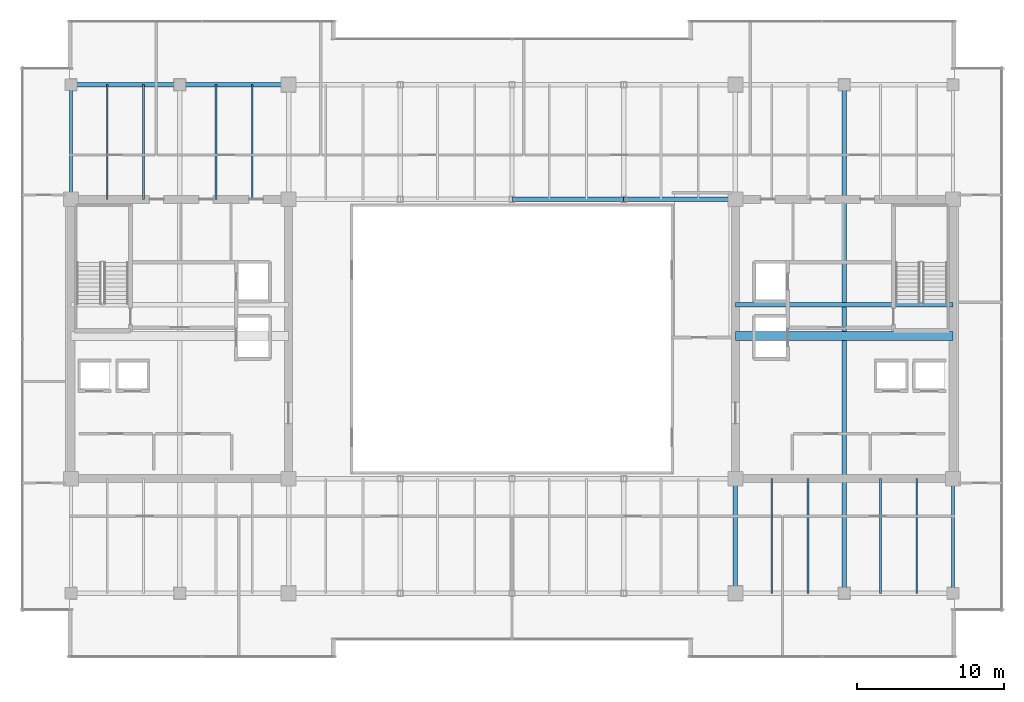
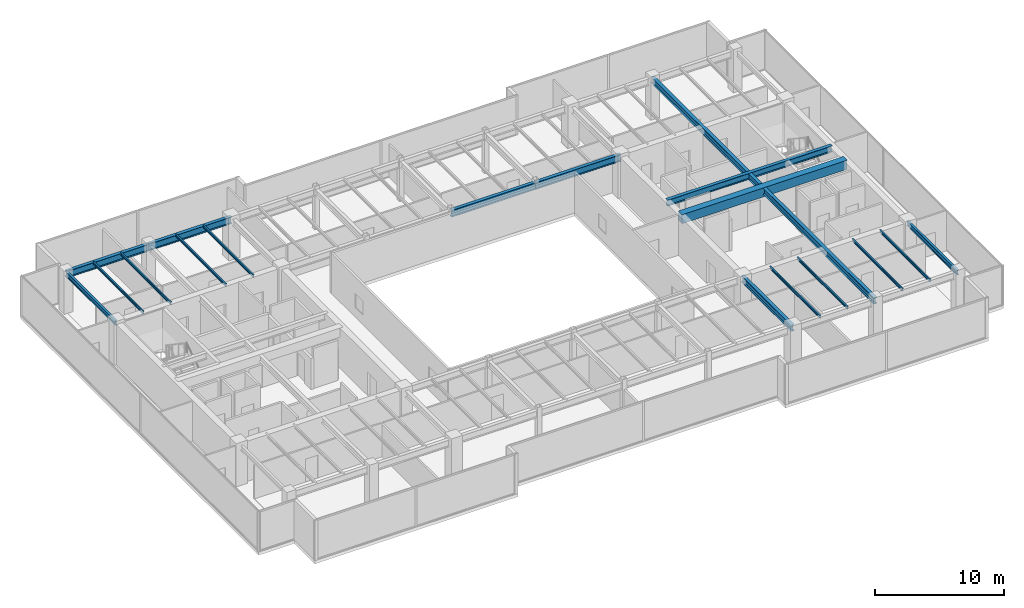
# One storey, part 14 of 36: 18 beams.
"""IFC4 building model written with IfcOpenShell, lengths in metres."""

from ifc_helpers import new_model, si_unit, direction, frame, origin, origin_2d, place, context, subcontext, project, spatial, rectangle, i_section, extrude, source, transform, mapped, material, material_profile, profile_set, type_object, type_shapes, element, save


model = new_model("IFC4")

# Units and contexts
model_context = context("Model", 3, precision=1e-05, world=origin(), true_north=direction((0.0, 1.0)))
body_context = subcontext(model_context, "Body", "Model", "MODEL_VIEW")
ifc_project = project(units=[si_unit("LENGTHUNIT", "METRE"), si_unit("AREAUNIT", "SQUARE_METRE"), si_unit("VOLUMEUNIT", "CUBIC_METRE"), si_unit("PLANEANGLEUNIT", "RADIAN"), si_unit("MASSUNIT", "GRAM", prefix="KILO")], contexts=[model_context])

# Site, building, storey
site_placement = place(None, origin())
site = spatial("IfcSite", under=ifc_project, at=site_placement, CompositionType="ELEMENT")
building_placement = place(site_placement, origin())
building = spatial("IfcBuilding", under=site, at=building_placement, Name="Haelvirn Gate Laboratories", CompositionType="ELEMENT")
storey_placement = place(building_placement, frame((0.0, 0.0, 254.699951171875)))
storey = spatial("IfcBuildingStorey", under=building, at=storey_placement, Name="L61", CompositionType="ELEMENT", Elevation=254.699951171875)

# Beams
ifc_material_1 = material(Name="Steel SM355", Category="steel")
ifc_material_profile_1 = material_profile(ifc_material_1, i_section(OverallWidth=0.300048828125, OverallDepth=0.587890625, WebThickness=0.011962890625, FlangeThickness=0.02001953125, at=origin_2d()), Name="H-588x300x12x20")
ifc_profile_set_1 = profile_set([ifc_material_profile_1], Name="Steel SM355")
beam_type_1 = type_object("IfcBeamType", Name="BM-G-588", PredefinedType="BEAM", material=ifc_profile_set_1)
shared_shape_1 = source(origin(), body_context, "Body", "SweptSolid", [
    extrude(i_section(OverallWidth=0.300048828125, OverallDepth=0.587890625, WebThickness=0.011962890625, FlangeThickness=0.02001953125, at=origin_2d()), origin(), (0.0, 0.0, 1.0), 14.7998046875),
])
beam_1_placement = place(storey_placement, frame((52.60009765625, 26.6201171875, 3.506103515625), z_axis=(1.0, 0.0, 0.0), x_axis=(0.0, 1.0, 0.0)))
element("IfcBeam", 1, at=beam_1_placement, inside=storey, type_object=beam_type_1, Name="L61 Stair ST2 Landing Header", PredefinedType="BEAM", context=body_context, shape_type="MappedRepresentation", body=[
    mapped(shared_shape_1, transform((0.0, 0.0, 0.0), scale=1.0)),
])
shared_shape_2 = source(origin(), body_context, "Body", "SweptSolid", [
    extrude(i_section(OverallWidth=0.300048828125, OverallDepth=0.587890625, WebThickness=0.011962890625, FlangeThickness=0.02001953125, at=origin_2d()), origin(), (0.0, 0.0, 1.0), 34.60009765625),
])
beam_2_placement = place(storey_placement, frame((60.0, 7.0, 3.506103515625), z_axis=(0.0, 1.0, 0.0), x_axis=(-1.0, 0.0, 0.0)))
element("IfcBeam", 2, at=beam_2_placement, inside=storey, type_object=beam_type_1, Name="L61 Frame Girder X60.0 (7.0-41.6)", PredefinedType="BEAM", context=body_context, shape_type="MappedRepresentation", body=[
    mapped(shared_shape_2, transform((0.0, 0.0, 0.0), scale=1.0)),
])
shared_shape_3 = source(origin(), body_context, "Body", "SweptSolid", [
    extrude(i_section(OverallWidth=0.300048828125, OverallDepth=0.587890625, WebThickness=0.011962890625, FlangeThickness=0.02001953125, at=origin_2d()), origin(), (0.0, 0.0, 1.0), 7.800048828125),
])
type_shapes(beam_type_1, [shared_shape_1, shared_shape_2, shared_shape_3])
beam_3_placement = place(storey_placement, frame((52.60009765625, 7.0, 3.506103515625), z_axis=(0.0, 1.0, 0.0), x_axis=(-1.0, 0.0, 0.0)))
element("IfcBeam", 3, at=beam_3_placement, inside=storey, type_object=beam_type_1, Name="L61 Frame Girder X52.6 (7.0-14.8)", PredefinedType="BEAM", context=body_context, shape_type="MappedRepresentation", body=[
    mapped(shared_shape_3, transform((0.0, 0.0, 0.0), scale=1.0)),
])
ifc_material_2 = material(Name="Concrete C50/60", Category="concrete")
ifc_material_profile_2 = material_profile(ifc_material_2, rectangle(XDim=0.60009765625, YDim=0.85009765625, at=origin_2d()), Name="RCB-600x850")
ifc_profile_set_2 = profile_set([ifc_material_profile_2], Name="Concrete C50/60")
beam_type_2 = type_object("IfcBeamType", Name="BM-RCB-850", PredefinedType="LINTEL", material=ifc_profile_set_2)
shared_shape_4 = source(origin(), body_context, "Body", "SweptSolid", [
    extrude(rectangle(XDim=0.60009765625, YDim=0.85009765625, at=origin_2d()), origin(), (0.0, 0.0, 1.0), 14.7998046875),
])
type_shapes(beam_type_2, [shared_shape_4])
beam_4_placement = place(storey_placement, frame((52.60009765625, 24.5, 3.375), z_axis=(1.0, 0.0, 0.0), x_axis=(0.0, 1.0, 0.0)))
element("IfcBeam", 4, at=beam_4_placement, inside=storey, type_object=beam_type_2, Name="L61 East Core Coupling Beam", PredefinedType="LINTEL", context=body_context, shape_type="MappedRepresentation", body=[
    mapped(shared_shape_4, transform((0.0, 0.0, 0.0), scale=1.0)),
])
ifc_material_profile_3 = material_profile(ifc_material_1, i_section(OverallWidth=0.300048828125, OverallDepth=0.64990234375, WebThickness=0.012939453125, FlangeThickness=0.02197265625, at=origin_2d()), Name="H-650x300x13x22")
ifc_profile_set_3 = profile_set([ifc_material_profile_3], Name="Steel SM355")
beam_type_3 = type_object("IfcBeamType", Name="BM-G-650", PredefinedType="BEAM", material=ifc_profile_set_3)
shared_shape_5 = source(origin(), body_context, "Body", "SweptSolid", [
    extrude(i_section(OverallWidth=0.300048828125, OverallDepth=0.64990234375, WebThickness=0.012939453125, FlangeThickness=0.02197265625, at=origin_2d()), origin(), (0.0, 0.0, 1.0), 7.400146484375),
])
beam_5_placement = place(storey_placement, frame((7.39990234375, 41.60009765625, 3.47509765625), z_axis=(1.0, 0.0, 0.0), x_axis=(0.0, 1.0, 0.0)))
element("IfcBeam", 5, at=beam_5_placement, inside=storey, type_object=beam_type_3, Name="L61 Primary Girder Y41.6 (7.4-14.8)", PredefinedType="BEAM", context=body_context, shape_type="MappedRepresentation", body=[
    mapped(shared_shape_5, transform((0.0, 0.0, 0.0), scale=1.0)),
])
shared_shape_6 = source(origin(), body_context, "Body", "SweptSolid", [
    extrude(i_section(OverallWidth=0.300048828125, OverallDepth=0.64990234375, WebThickness=0.012939453125, FlangeThickness=0.02197265625, at=origin_2d()), origin(), (0.0, 0.0, 1.0), 7.39990234375),
])
beam_6_placement = place(storey_placement, frame((14.800048828125, 41.60009765625, 3.47509765625), z_axis=(1.0, 0.0, 0.0), x_axis=(0.0, 1.0, 0.0)))
element("IfcBeam", 6, at=beam_6_placement, inside=storey, type_object=beam_type_3, Name="L61 Primary Girder Y41.6 (14.8-22.2)", PredefinedType="BEAM", context=body_context, shape_type="MappedRepresentation", body=[
    mapped(shared_shape_6, transform((0.0, 0.0, 0.0), scale=1.0)),
])
shared_shape_7 = source(origin(), body_context, "Body", "SweptSolid", [
    extrude(i_section(OverallWidth=0.300048828125, OverallDepth=0.64990234375, WebThickness=0.012939453125, FlangeThickness=0.02197265625, at=origin_2d()), origin(), (0.0, 0.0, 1.0), 7.60009765625),
])
type_shapes(beam_type_3, [shared_shape_5, shared_shape_6, shared_shape_7])
for number, where, z_axis, x_axis, name in (
    (7, (37.39990234375, 33.800048828125, 3.47509765625), (1.0, 0.0, 0.0), (0.0, 1.0, 0.0), "L61 Primary Girder Y33.8 (37.4-45.0)"),
    (8, (45.0, 33.800048828125, 3.47509765625), (1.0, 0.0, 0.0), (0.0, 1.0, 0.0), "L61 Primary Girder Y33.8 (45.0-52.6)"),
):
    element("IfcBeam", number, at=place(storey_placement, frame(where, z_axis=z_axis, x_axis=x_axis)), inside=storey, type_object=beam_type_3, Name=name, PredefinedType="BEAM", context=body_context, shape_type="MappedRepresentation", body=[
        mapped(shared_shape_7, transform((0.0, 0.0, 0.0), scale=1.0)),
    ])
ifc_material_profile_4 = material_profile(ifc_material_1, i_section(OverallWidth=0.199951171875, OverallDepth=0.449951171875, WebThickness=0.009033203125, FlangeThickness=0.013916015625, at=origin_2d()), Name="H-450x200x9x14")
ifc_profile_set_4 = profile_set([ifc_material_profile_4], Name="Steel SM355")
beam_type_4 = type_object("IfcBeamType", Name="BM-SP-450", PredefinedType="SPANDREL", material=ifc_profile_set_4)
shared_shape_8 = source(origin(), body_context, "Body", "SweptSolid", [
    extrude(i_section(OverallWidth=0.199951171875, OverallDepth=0.449951171875, WebThickness=0.009033203125, FlangeThickness=0.013916015625, at=origin_2d()), origin(), (0.0, 0.0, 1.0), 7.800048828125),
])
type_shapes(beam_type_4, [shared_shape_8])
for number, where, z_axis, x_axis, name in (
    (9, (7.39990234375, 33.800048828125, 3.574951171875), (0.0, 1.0, 0.0), (-1.0, 0.0, 0.0), "L61 Perimeter Spandrel X7.4 (33.8-41.6)"),
    (10, (67.39990234375, 7.0, 3.574951171875), (0.0, 1.0, 0.0), (-1.0, 0.0, 0.0), "L61 Perimeter Spandrel X67.4 (7.0-14.8)"),
):
    element("IfcBeam", number, at=place(storey_placement, frame(where, z_axis=z_axis, x_axis=x_axis)), inside=storey, type_object=beam_type_4, Name=name, PredefinedType="SPANDREL", context=body_context, shape_type="MappedRepresentation", body=[
        mapped(shared_shape_8, transform((0.0, 0.0, 0.0), scale=1.0)),
    ])
ifc_material_profile_5 = material_profile(ifc_material_1, i_section(OverallWidth=0.125, OverallDepth=0.25, WebThickness=0.006103515625, FlangeThickness=0.009033203125, at=origin_2d()), Name="H-250x125x6x9")
ifc_profile_set_5 = profile_set([ifc_material_profile_5], Name="Steel SM355")
beam_type_5 = type_object("IfcBeamType", Name="BM-J-250", PredefinedType="JOIST", material=ifc_profile_set_5)
shared_shape_9 = source(origin(), body_context, "Body", "SweptSolid", [
    extrude(i_section(OverallWidth=0.125, OverallDepth=0.25, WebThickness=0.006103515625, FlangeThickness=0.009033203125, at=origin_2d()), origin(), (0.0, 0.0, 1.0), 7.800048828125),
])
type_shapes(beam_type_5, [shared_shape_9])
for number, where, z_axis, x_axis, name in (
    (11, (9.8701171875, 33.800048828125, 3.675048828125), (0.0, 1.0, 0.0), (-1.0, 0.0, 0.0), "L61 Composite Lab Joist North X9.87"),
    (12, (12.330078125, 33.800048828125, 3.675048828125), (0.0, 1.0, 0.0), (-1.0, 0.0, 0.0), "L61 Composite Lab Joist North X12.33"),
    (13, (17.27001953125, 33.800048828125, 3.675048828125), (0.0, 1.0, 0.0), (-1.0, 0.0, 0.0), "L61 Composite Lab Joist North X17.27"),
    (14, (19.72998046875, 33.800048828125, 3.675048828125), (0.0, 1.0, 0.0), (-1.0, 0.0, 0.0), "L61 Composite Lab Joist North X19.73"),
    (15, (55.070068359375, 7.0, 3.675048828125), (0.0, 1.0, 0.0), (-1.0, 0.0, 0.0), "L61 Composite Lab Joist South X55.07"),
    (16, (57.530029296875, 7.0, 3.675048828125), (0.0, 1.0, 0.0), (-1.0, 0.0, 0.0), "L61 Composite Lab Joist South X57.53"),
    (17, (62.469970703125, 7.0, 3.675048828125), (0.0, 1.0, 0.0), (-1.0, 0.0, 0.0), "L61 Composite Lab Joist South X62.47"),
    (18, (64.929931640625, 7.0, 3.675048828125), (0.0, 1.0, 0.0), (-1.0, 0.0, 0.0), "L61 Composite Lab Joist South X64.93"),
):
    element("IfcBeam", number, at=place(storey_placement, frame(where, z_axis=z_axis, x_axis=x_axis)), inside=storey, type_object=beam_type_5, Name=name, PredefinedType="JOIST", context=body_context, shape_type="MappedRepresentation", body=[
        mapped(shared_shape_9, transform((0.0, 0.0, 0.0), scale=1.0)),
    ])

save(model, "model.ifc")
